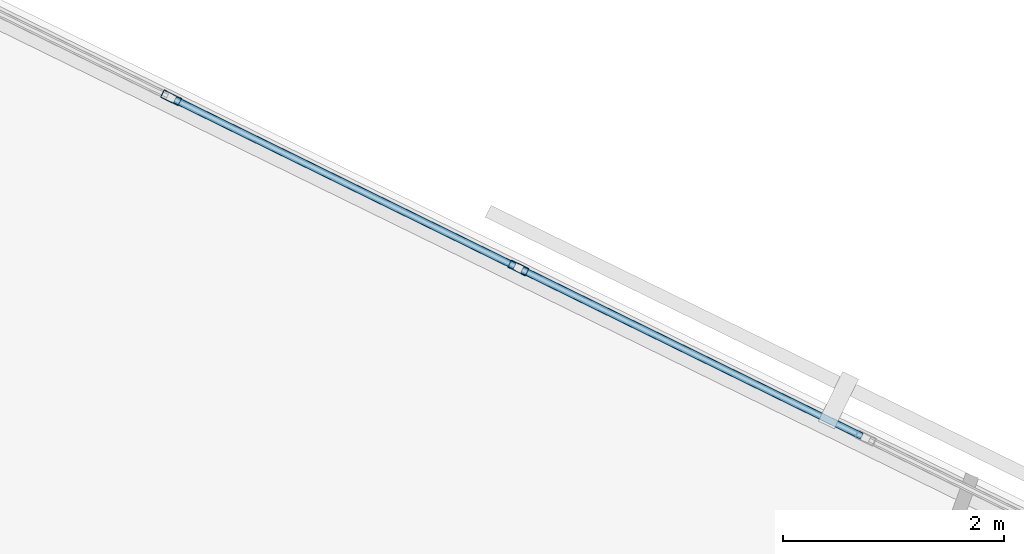
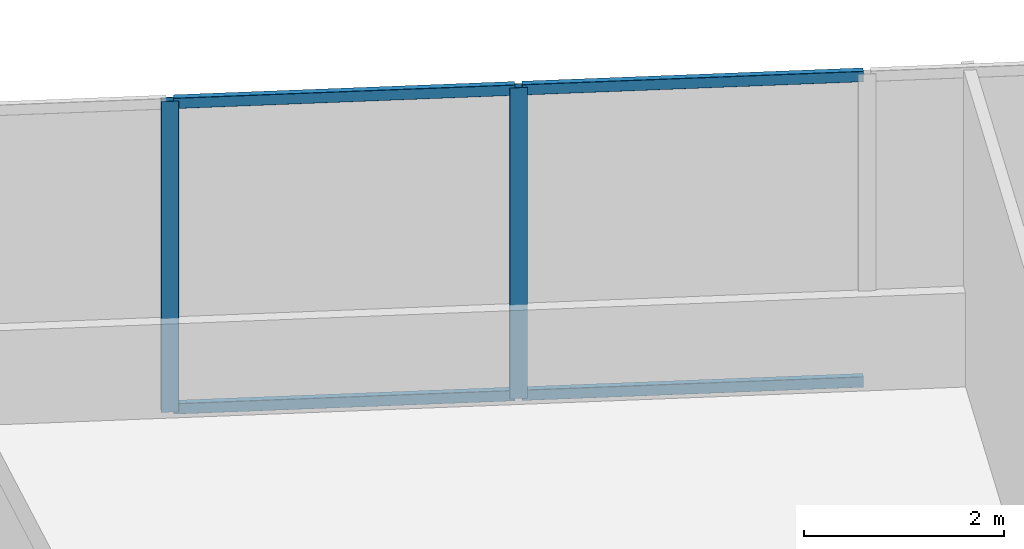
# One storey, part 11 of 19: 6 members, 1 element without a shape of its own.
"""IFC4 building model written with IfcOpenShell, lengths in metres."""

from ifc_helpers import new_model, si_unit, direction, frame, origin, origin_2d, place, context, subcontext, project, spatial, hollow_rectangle, extrude, material, material_profile, profile_set, type_object, element, aggregate, save


model = new_model("IFC4")

# Units and contexts
model_context = context("Model", 3, precision=1e-05, world=origin(), true_north=direction((0.0, 1.0)))
body_context = subcontext(model_context, "Body", "Model", "MODEL_VIEW")
ifc_project = project(units=[si_unit("LENGTHUNIT", "METRE"), si_unit("AREAUNIT", "SQUARE_METRE"), si_unit("VOLUMEUNIT", "CUBIC_METRE"), si_unit("PLANEANGLEUNIT", "RADIAN"), si_unit("MASSUNIT", "GRAM", prefix="KILO")], contexts=[model_context])

# Site, building, storey
site_placement = place(None, origin())
site = spatial("IfcSite", under=ifc_project, at=site_placement, CompositionType="ELEMENT")
building_placement = place(site_placement, origin())
building = spatial("IfcBuilding", under=site, at=building_placement, Name="Narakoshi Arena Tower", CompositionType="ELEMENT")
storey_placement = place(building_placement, frame((0.0, 0.0, 128.10009765625)))
storey = spatial("IfcBuildingStorey", under=building, at=storey_placement, Name="L34", CompositionType="ELEMENT", Elevation=128.10009765625)

# Curtain wall, members
ifc_material = material(Name="Anodised bronze aluminium 6063-T6", Category="aluminium")
curtain_wall_type = type_object("IfcCurtainWallType", Name="CW-HYP-LOW", PredefinedType="NOTDEFINED", material=ifc_material)
curtain_wall_placement = place(storey_placement, origin())
curtain_wall = element("IfcCurtainWall", 1, at=curtain_wall_placement, inside=storey, type_object=curtain_wall_type, Name="L34 Folded Hypotenuse Curtain Wall 2-1", PredefinedType="NOTDEFINED")
ifc_material_profile_1 = material_profile(ifc_material, hollow_rectangle(XDim=0.074951171875, YDim=0.179931640625, WallThickness=0.00390625, OuterFilletRadius=0.0048828125, at=origin_2d()), Name="MUL180x75x4")
ifc_profile_set_1 = profile_set([ifc_material_profile_1], Name="Anodised bronze aluminium 6063-T6")
member_type_1 = type_object("IfcMemberType", Name="MEM-MUL-180", PredefinedType="MULLION", material=ifc_profile_set_1)
member_1_placement = place(storey_placement, frame((81.34814453125, 65.577880859375, 0.0), z_axis=(0.0, 0.0, 1.0), x_axis=(-0.44000392268, -0.897995850784, 0.0)))
member_1 = element("IfcMember", 2, at=member_1_placement, type_object=member_type_1, Name="CW-01 mullion 3", PredefinedType="MULLION", context=body_context, shape_type="SweptSolid", body=[
    extrude(hollow_rectangle(XDim=0.074951171875, YDim=0.179931640625, WallThickness=0.00390625, OuterFilletRadius=0.0048828125, at=origin_2d()), origin(), (0.0, 0.0, 1.0), 3.7998046875),
])
member_2_placement = place(storey_placement, frame((78.205810546875, 67.117431640625, 0.0), z_axis=(0.0, 0.0, 1.0), x_axis=(-0.44000392268, -0.897995850784, 0.0)))
member_2 = element("IfcMember", 3, at=member_2_placement, type_object=member_type_1, Name="CW-01 mullion 4", PredefinedType="MULLION", context=body_context, shape_type="SweptSolid", body=[
    extrude(hollow_rectangle(XDim=0.074951171875, YDim=0.179931640625, WallThickness=0.00390625, OuterFilletRadius=0.0048828125, at=origin_2d()), origin(), (0.0, 0.0, 1.0), 3.7998046875),
])
ifc_material_profile_2 = material_profile(ifc_material, hollow_rectangle(XDim=0.06494140625, YDim=0.1298828125, WallThickness=0.00390625, OuterFilletRadius=0.0048828125, at=origin_2d()), Name="TRN130x65x4")
ifc_profile_set_2 = profile_set([ifc_material_profile_2], Name="Anodised bronze aluminium 6063-T6")
member_type_2 = type_object("IfcMemberType", Name="MEM-TRN-130", PredefinedType="USERDEFINED", material=ifc_profile_set_2)
member_3_placement = place(storey_placement, frame((84.456787109375, 64.0546875, 0.032470703125), z_axis=(-0.898005795716, 0.439983625674, 0.0), x_axis=(-0.439983625674, -0.898005795716, 0.0)))
member_3 = element("IfcMember", 4, at=member_3_placement, type_object=member_type_2, Name="CW-01 transom 2.1", ObjectType="TRANSOM", PredefinedType="USERDEFINED", context=body_context, shape_type="SweptSolid", body=[
    extrude(hollow_rectangle(XDim=0.06494140625, YDim=0.1298828125, WallThickness=0.00390625, OuterFilletRadius=0.0048828125, at=origin_2d()), origin(), (0.0, 0.0, 1.0), 3.42431640625),
])
member_4_placement = place(storey_placement, frame((84.456787109375, 64.0546875, 3.767333984375), z_axis=(-0.898005795716, 0.439983625674, 0.0), x_axis=(-0.439983625674, -0.898005795716, 0.0)))
member_4 = element("IfcMember", 5, at=member_4_placement, type_object=member_type_2, Name="CW-01 transom 2.2", ObjectType="TRANSOM", PredefinedType="USERDEFINED", context=body_context, shape_type="SweptSolid", body=[
    extrude(hollow_rectangle(XDim=0.06494140625, YDim=0.1298828125, WallThickness=0.00390625, OuterFilletRadius=0.0048828125, at=origin_2d()), origin(), (0.0, 0.0, 1.0), 3.42431640625),
])
member_5_placement = place(storey_placement, frame((81.314453125, 65.594482421875, 0.032470703125), z_axis=(-0.898005795716, 0.439983625674, 0.0), x_axis=(-0.439983625674, -0.898005795716, 0.0)))
member_5 = element("IfcMember", 6, at=member_5_placement, type_object=member_type_2, Name="CW-01 transom 3.1", ObjectType="TRANSOM", PredefinedType="USERDEFINED", context=body_context, shape_type="SweptSolid", body=[
    extrude(hollow_rectangle(XDim=0.06494140625, YDim=0.1298828125, WallThickness=0.00390625, OuterFilletRadius=0.0048828125, at=origin_2d()), origin(), (0.0, 0.0, 1.0), 3.42431640625),
])
member_6_placement = place(storey_placement, frame((81.314453125, 65.594482421875, 3.767333984375), z_axis=(-0.898005795716, 0.439983625674, 0.0), x_axis=(-0.439983625674, -0.898005795716, 0.0)))
member_6 = element("IfcMember", 7, at=member_6_placement, type_object=member_type_2, Name="CW-01 transom 3.2", ObjectType="TRANSOM", PredefinedType="USERDEFINED", context=body_context, shape_type="SweptSolid", body=[
    extrude(hollow_rectangle(XDim=0.06494140625, YDim=0.1298828125, WallThickness=0.00390625, OuterFilletRadius=0.0048828125, at=origin_2d()), origin(), (0.0, 0.0, 1.0), 3.42431640625),
])
aggregate(curtain_wall, [member_1, member_2, member_3, member_4, member_5, member_6])

save(model, "model.ifc")
